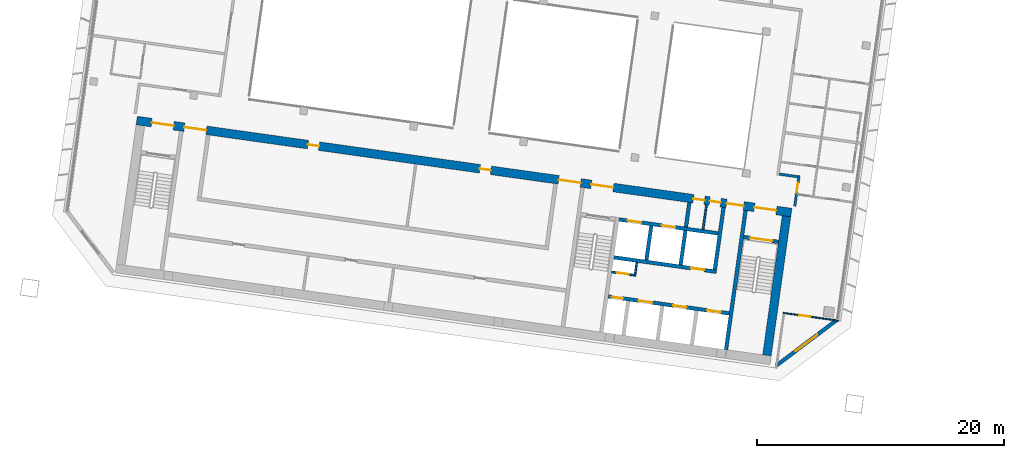
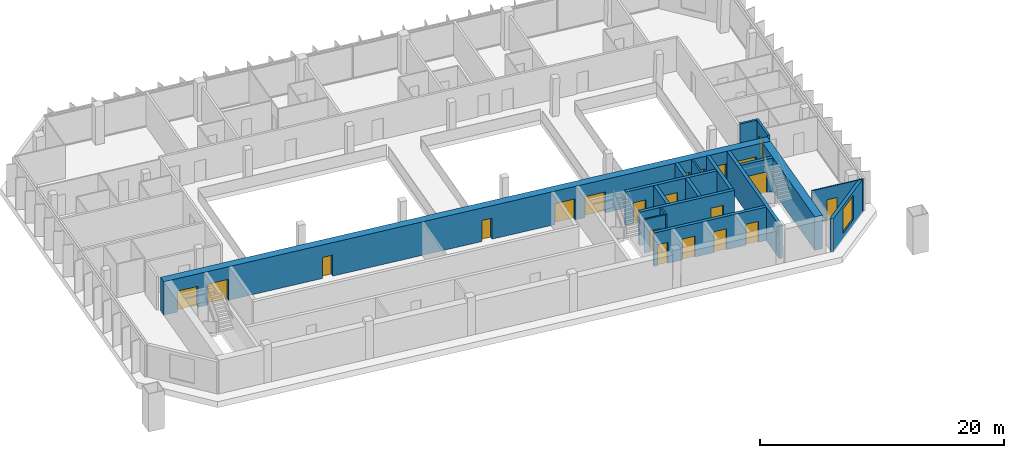
# One storey, part 16 of 26: 21 doors, 18 walls, 1 window, 22 openings.
"""IFC4 building model written with IfcOpenShell, lengths in metres."""

from ifc_helpers import new_model, si_unit, direction, frame, frame_2d, origin, place, context, subcontext, project, spatial, rectangle, extrude, material, layer, layer_set, type_object, element, fill, save


model = new_model("IFC4")

# Units and contexts
model_context = context("Model", 3, precision=1e-05, world=origin(), true_north=direction((0.0, 1.0)))
body_context = subcontext(model_context, "Body", "Model", "MODEL_VIEW")
ifc_project = project(units=[si_unit("LENGTHUNIT", "METRE"), si_unit("AREAUNIT", "SQUARE_METRE"), si_unit("VOLUMEUNIT", "CUBIC_METRE"), si_unit("PLANEANGLEUNIT", "RADIAN"), si_unit("MASSUNIT", "GRAM", prefix="KILO")], contexts=[model_context])

# Site, building, storey
site_placement = place(None, origin())
site = spatial("IfcSite", under=ifc_project, at=site_placement, CompositionType="ELEMENT")
building_placement = place(site_placement, origin())
building = spatial("IfcBuilding", under=site, at=building_placement, Name="Mirante Cascada Hotel Towers", CompositionType="ELEMENT")
storey_placement = place(building_placement, frame((0.0, 0.0, 168.8)))
storey = spatial("IfcBuildingStorey", under=building, at=storey_placement, Name="L39", CompositionType="ELEMENT", Elevation=168.8)

# Wall
ifc_material_1 = material(Name="Fire-rated plasterboard on metal studs")
ifc_layer_1 = layer(ifc_material_1, 0.2)
ifc_layer_set_1 = layer_set([ifc_layer_1], Name="Compartment wall 200 EI 120")
wall_type_1 = type_object("IfcWallType", Name="Compartment wall 200 EI 120", PredefinedType="PARTITIONING", material=ifc_layer_set_1)
wall_1_placement = place(storey_placement, frame((-36.5138, -4.518, 0.0), z_axis=(0.0, 0.0, 1.0), x_axis=(0.9902735, -0.1391343, 0.0)))
element("IfcWall", 1, at=wall_1_placement, inside=storey, type_object=wall_type_1, Name="Wall 1-L39-03", PredefinedType="PARTITIONING", context=body_context, shape_type="SweptSolid", body=[
    extrude(rectangle(XDim=1.5, YDim=0.2, at=frame_2d((0.75, 0.0))), origin(), (0.0, 0.0, 1.0), 3.35),
])

# Wall, opening, door
wall_2_placement = place(storey_placement, frame((-35.2634, -7.1173, 0.0), z_axis=(0.0, 0.0, 1.0), x_axis=(0.1391586, 0.9902701, 0.0)))
wall_2 = element("IfcWall", 2, at=wall_2_placement, inside=storey, type_object=wall_type_1, Name="Wall 1-L39-28", PredefinedType="PARTITIONING", context=body_context, shape_type="SweptSolid", body=[
    extrude(rectangle(XDim=2.5, YDim=0.2, at=frame_2d((1.25, 0.0))), origin(), (0.0, 0.0, 1.0), 3.35),
])
opening_1_placement = place(wall_2_placement, frame((1.1167, 0.0, 0.0)))
opening_1 = element("IfcOpeningElement", 3, at=opening_1_placement, cuts=wall_2, Name="Opening D1-L39-27", PredefinedType="OPENING", context=body_context, shape_type="SweptSolid", body=[
    extrude(rectangle(XDim=0.8, YDim=2.1, at=frame_2d((0.4, 1.05))), frame((0.0, 0.1, 0.0), z_axis=(0.0, -1.0, 0.0), x_axis=(1.0, 0.0, 0.0)), (0.0, 0.0, 1.0), 0.2),
])
ifc_material_2 = material(Name="Fire-rated timber door leaf", Category="wood")
door_type_1 = type_object("IfcDoorType", Name="Bathroom door DG4 800x2100 EI 60", OperationType="SINGLE_SWING_LEFT", PredefinedType="DOOR", material=ifc_material_2)
door_1_placement = place(opening_1_placement, origin())
door_1 = element("IfcDoor", 4, at=door_1_placement, inside=storey, type_object=door_type_1, Name="Door D1-L39-27", OperationType="SINGLE_SWING_LEFT", OverallHeight=2.1, OverallWidth=0.8, PredefinedType="DOOR", context=body_context, shape_type="SweptSolid", body=[
    extrude(rectangle(XDim=0.8, YDim=2.1, at=frame_2d((0.4, 1.05))), frame((0.0, 0.025, 0.0), z_axis=(0.0, -1.0, 0.0), x_axis=(1.0, 0.0, 0.0)), (0.0, 0.0, 1.0), 0.05),
])
fill(opening_1, door_1)

# Wall
ifc_material_3 = material(Name="Masonry block", Category="masonry")
ifc_layer_2 = layer(ifc_material_3, 0.15)
ifc_layer_set_2 = layer_set([ifc_layer_2], Name="Core room partition 150 block EI 30")
wall_type_2 = type_object("IfcWallType", Name="Core room partition 150 block EI 30", PredefinedType="PARTITIONING", material=ifc_layer_set_2)
wall_3_placement = place(storey_placement, frame((-48.2295, -12.793, 0.0), z_axis=(0.0, 0.0, 1.0), x_axis=(0.1391935, 0.9902652, 0.0)))
element("IfcWall", 5, at=wall_3_placement, inside=storey, type_object=wall_type_2, Name="Core wall partition T1 L39 2", PredefinedType="PARTITIONING", context=body_context, shape_type="SweptSolid", body=[
    extrude(rectangle(XDim=1.1251, YDim=0.15, at=frame_2d((0.5626, 0.0))), origin(), (0.0, 0.0, 1.0), 3.35),
])

# Wall, opening, door
wall_4_placement = place(storey_placement, frame((-48.2933, -12.7083, 0.0), z_axis=(0.0, 0.0, 1.0), x_axis=(-0.990268, 0.1391734, 0.0)))
wall_4 = element("IfcWall", 6, at=wall_4_placement, inside=storey, type_object=wall_type_2, Name="Core wall partition T1 L39 3", PredefinedType="PARTITIONING", context=body_context, shape_type="SweptSolid", body=[
    extrude(rectangle(XDim=1.8251, YDim=0.15, at=frame_2d((0.9126, 0.0))), origin(), (0.0, 0.0, 1.0), 3.35),
])
opening_2_placement = place(wall_4_placement, frame((0.4625, 0.0, 0.0)))
opening_2 = element("IfcOpeningElement", 7, at=opening_2_placement, cuts=wall_4, Name="Opening D1-39-C17", PredefinedType="OPENING", context=body_context, shape_type="SweptSolid", body=[
    extrude(rectangle(XDim=0.9, YDim=2.1, at=frame_2d((0.45, 1.05))), frame((0.0, 0.075, 0.0), z_axis=(0.0, -1.0, 0.0), x_axis=(1.0, 0.0, 0.0)), (0.0, 0.0, 1.0), 0.15),
])
ifc_material_4 = material(Name="Hollow metal fire door leaf")
door_type_2 = type_object("IfcDoorType", Name="Fire door 900x2100 FD60", OperationType="NOTDEFINED", PredefinedType="DOOR", material=ifc_material_4)
door_2_placement = place(opening_2_placement, origin())
door_2 = element("IfcDoor", 8, at=door_2_placement, inside=storey, type_object=door_type_2, Name="Riser door T1 L39 17", OperationType="SINGLE_SWING_LEFT", OverallHeight=2.1, OverallWidth=0.9, PredefinedType="DOOR", context=body_context, shape_type="SweptSolid", body=[
    extrude(rectangle(XDim=0.9, YDim=2.1, at=frame_2d((0.45, 1.05))), frame((0.0, 0.025, 0.0), z_axis=(0.0, -1.0, 0.0), x_axis=(1.0, 0.0, 0.0)), (0.0, 0.0, 1.0), 0.05),
])
fill(opening_2, door_2)

# Walls
wall_5_placement = place(storey_placement, frame((-42.6979, -9.0009, 0.0), z_axis=(0.0, 0.0, 1.0), x_axis=(0.1391529, 0.9902709, 0.0)))
element("IfcWall", 9, at=wall_5_placement, inside=storey, type_object=wall_type_2, Name="Core wall partition T1 L39 4", PredefinedType="PARTITIONING", context=body_context, shape_type="SweptSolid", body=[
    extrude(rectangle(XDim=2.0, YDim=0.15, at=frame_2d((1.0, 0.0))), origin(), (0.0, 0.0, 1.0), 3.35),
])
ifc_material_5 = material(Name="Masonry block", Category="masonry")
ifc_layer_3 = layer(ifc_material_5, 0.3)
ifc_layer_set_3 = layer_set([ifc_layer_3], Name="Core wall 300 block EI 120")
wall_type_3 = type_object("IfcWallType", Name="Core wall 300 block EI 120", PredefinedType="PARTITIONING", material=ifc_layer_set_3)
wall_6_placement = place(storey_placement, frame((-44.0843, -8.8061, 0.0), z_axis=(0.0, 0.0, 1.0), x_axis=(0.1391951, 0.990265, 0.0)))
element("IfcWall", 10, at=wall_6_placement, inside=storey, type_object=wall_type_3, Name="Core wall partition T1 L39 1", PredefinedType="PARTITIONING", context=body_context, shape_type="SweptSolid", body=[
    extrude(rectangle(XDim=2.0001, YDim=0.3, at=frame_2d((1.0001, 0.0))), origin(), (0.0, 0.0, 1.0), 3.35),
])

# Wall, opening, door
ifc_material_6 = material(Name="Plasterboard on metal studs")
ifc_layer_4 = layer(ifc_material_6, 0.1)
ifc_layer_set_4 = layer_set([ifc_layer_4], Name="Partition 100")
wall_type_4 = type_object("IfcWallType", Name="Partition 100", PredefinedType="PARTITIONING", material=ifc_layer_set_4)
wall_7_placement = place(storey_placement, frame((-36.1893, -15.7726, 0.0), z_axis=(0.0, 0.0, 1.0), x_axis=(0.9902661, -0.1391871, 0.0)))
wall_7 = element("IfcWall", 11, at=wall_7_placement, inside=storey, type_object=wall_type_4, Name="Wall 1-L39-01", PredefinedType="PARTITIONING", context=body_context, shape_type="SweptSolid", body=[
    extrude(rectangle(XDim=4.55, YDim=0.1, at=frame_2d((2.275, 0.0))), origin(), (0.0, 0.0, 1.0), 3.35),
])
opening_3_placement = place(wall_7_placement, frame((1.3249, 0.0, 0.0)))
opening_3 = element("IfcOpeningElement", 12, at=opening_3_placement, cuts=wall_7, Name="Opening D1-L39-01", PredefinedType="OPENING", context=body_context, shape_type="SweptSolid", body=[
    extrude(rectangle(XDim=0.9, YDim=2.1, at=frame_2d((0.45, 1.05))), frame((0.0, 0.05, 0.0), z_axis=(0.0, -1.0, 0.0), x_axis=(1.0, 0.0, 0.0)), (0.0, 0.0, 1.0), 0.1),
])
ifc_material_7 = material(Name="Timber door leaf", Category="wood")
door_type_3 = type_object("IfcDoorType", Name="Room door DG3 900x2100", OperationType="SINGLE_SWING_LEFT", PredefinedType="DOOR", material=ifc_material_7)
door_3_placement = place(opening_3_placement, origin())
door_3 = element("IfcDoor", 13, at=door_3_placement, inside=storey, type_object=door_type_3, Name="Door D1-L39-01", OperationType="SINGLE_SWING_LEFT", OverallHeight=2.1, OverallWidth=0.9, PredefinedType="DOOR", context=body_context, shape_type="SweptSolid", body=[
    extrude(rectangle(XDim=0.9, YDim=2.1, at=frame_2d((0.45, 1.05))), frame((0.0, 0.025, 0.0), z_axis=(0.0, -1.0, 0.0), x_axis=(1.0, 0.0, 0.0)), (0.0, 0.0, 1.0), 0.05),
])
fill(opening_3, door_3)

# Wall, opening, window
ifc_material_8 = material(Name="Precast concrete C40/50", Category="concrete")
ifc_layer_5 = layer(ifc_material_8, 0.3)
ifc_layer_set_5 = layer_set([ifc_layer_5], Name="Precast concrete C40/50 cladding wall 300")
wall_type_5 = type_object("IfcWallType", Name="Precast concrete C40/50 cladding wall 300", PredefinedType="STANDARD", material=ifc_layer_set_5)
wall_8_placement = place(storey_placement, frame((-31.873, -16.3608, 0.0), z_axis=(0.0, 0.0, 1.0), x_axis=(-0.7986362, -0.6018141, 0.0)))
wall_8 = element("IfcWall", 14, at=wall_8_placement, inside=storey, type_object=wall_type_5, Name="Corner cladding wall T1 L39 inner rear", PredefinedType="STANDARD", context=body_context, shape_type="SweptSolid", body=[
    extrude(rectangle(XDim=6.1157, YDim=0.3, at=frame_2d((3.0578, 0.0))), origin(), (0.0, 0.0, 1.0), 3.35),
])
opening_4_placement = place(wall_8_placement, frame((1.9578, 0.0, 0.6)))
opening_4 = element("IfcOpeningElement", 15, at=opening_4_placement, cuts=wall_8, Name="Opening W1-39-04", PredefinedType="OPENING", context=body_context, shape_type="SweptSolid", body=[
    extrude(rectangle(XDim=2.2, YDim=2.4, at=frame_2d((1.1, 1.2))), frame((0.0, 0.15, 0.0), z_axis=(0.0, -1.0, 0.0), x_axis=(1.0, 0.0, 0.0)), (0.0, 0.0, 1.0), 0.3),
])
ifc_material_9 = material(Name="Aluminium frame with clear double glazing", Category="aluminium")
window_type = type_object("IfcWindowType", Name="Corner suite window 2200x2400", PartitioningType="DOUBLE_PANEL_VERTICAL", PredefinedType="WINDOW", material=ifc_material_9)
window_placement = place(opening_4_placement, origin())
window = element("IfcWindow", 16, at=window_placement, inside=storey, type_object=window_type, Name="Window W1-39-04", OverallHeight=2.4, OverallWidth=2.2, PartitioningType="SINGLE_PANEL", PredefinedType="WINDOW", context=body_context, shape_type="SweptSolid", body=[
    extrude(rectangle(XDim=2.2, YDim=2.4, at=frame_2d((1.1, 1.2))), frame((0.0, 0.03, 0.0), z_axis=(0.0, -1.0, 0.0), x_axis=(1.0, 0.0, 0.0)), (0.0, 0.0, 1.0), 0.06),
])
fill(opening_4, window)

# Wall
ifc_material_10 = material(Name="Concrete C50/60", Category="concrete")
ifc_layer_6 = layer(ifc_material_10, 0.3)
ifc_layer_set_6 = layer_set([ifc_layer_6], Name="RC core wall 300 C50/60")
wall_type_6 = type_object("IfcWallType", Name="RC core wall 300 C50/60", PredefinedType="SHEAR", material=ifc_layer_set_6)
wall_9_placement = place(storey_placement, frame((-40.8373, -18.7548, 0.0), z_axis=(0.0, 0.0, 1.0), x_axis=(0.1391749, 0.9902678, 0.0)))
element("IfcWall", 17, at=wall_9_placement, inside=storey, type_object=wall_type_6, Name="Core wall T1:L39:5", PredefinedType="SHEAR", context=body_context, shape_type="SweptSolid", body=[
    extrude(rectangle(XDim=11.4, YDim=0.3, at=frame_2d((5.7, 0.0))), origin(), (0.0, 0.0, 1.0), 3.35),
])

# Wall, opening, door
wall_10_placement = place(storey_placement, frame((-36.5791, -10.0123, 0.0), z_axis=(0.0, 0.0, 1.0), x_axis=(-0.9902704, 0.1391564, 0.0)))
wall_10 = element("IfcWall", 18, at=wall_10_placement, inside=storey, type_object=wall_type_6, Name="Core wall T1:L39:9", PredefinedType="SHEAR", context=body_context, shape_type="SweptSolid", body=[
    extrude(rectangle(XDim=2.85, YDim=0.3, at=frame_2d((1.425, 0.0))), origin(), (0.0, 0.0, 1.0), 3.35),
])
opening_5_placement = place(wall_10_placement, frame((0.525, 0.0, 0.0)))
opening_5 = element("IfcOpeningElement", 19, at=opening_5_placement, cuts=wall_10, Name="Opening D1-39-C07", PredefinedType="OPENING", context=body_context, shape_type="SweptSolid", body=[
    extrude(rectangle(XDim=1.8, YDim=2.1, at=frame_2d((0.9, 1.05))), frame((0.0, 0.15, 0.0), z_axis=(0.0, -1.0, 0.0), x_axis=(1.0, 0.0, 0.0)), (0.0, 0.0, 1.0), 0.3),
])
ifc_material_11 = material(Name="Hollow metal fire door leaf")
door_type_4 = type_object("IfcDoorType", Name="Double fire door 1800x2100 FD60", OperationType="DOUBLE_DOOR_SINGLE_SWING", PredefinedType="DOOR", material=ifc_material_11)
door_4_placement = place(opening_5_placement, origin())
door_4 = element("IfcDoor", 20, at=door_4_placement, inside=storey, type_object=door_type_4, Name="Stair door T1 L39 7", OperationType="DOUBLE_DOOR_SINGLE_SWING", OverallHeight=2.1, OverallWidth=1.8, PredefinedType="DOOR", context=body_context, shape_type="SweptSolid", body=[
    extrude(rectangle(XDim=0.895, YDim=2.1, at=frame_2d((0.4475, 1.05))), frame((0.0, 0.025, 0.0), z_axis=(0.0, -1.0, 0.0), x_axis=(1.0, 0.0, 0.0)), (0.0, 0.0, 1.0), 0.05),
    extrude(rectangle(XDim=0.895, YDim=2.1, at=frame_2d((1.3525, 1.05))), frame((0.0, 0.025, 0.0), z_axis=(0.0, -1.0, 0.0), x_axis=(1.0, 0.0, 0.0)), (0.0, 0.0, 1.0), 0.05),
])
fill(opening_5, door_4)

# Wall, openings, doors
wall_11_placement = place(storey_placement, frame((-40.5753, -15.8126, 0.0), z_axis=(0.0, 0.0, 1.0), x_axis=(-0.9902682, 0.1391725, 0.0)))
wall_11 = element("IfcWall", 21, at=wall_11_placement, inside=storey, type_object=wall_type_6, Name="Core wall T1:L39:12", PredefinedType="SHEAR", context=body_context, shape_type="SweptSolid", body=[
    extrude(rectangle(XDim=9.8999, YDim=0.3, at=frame_2d((4.95, 0.0))), origin(), (0.0, 0.0, 1.0), 3.35),
])
opening_6_placement = place(wall_11_placement, frame((0.7, 0.0, 0.0)))
opening_6 = element("IfcOpeningElement", 22, at=opening_6_placement, cuts=wall_11, Name="Opening LD", PredefinedType="OPENING", context=body_context, shape_type="SweptSolid", body=[
    extrude(rectangle(XDim=1.1, YDim=2.1, at=frame_2d((0.55, 1.05))), frame((0.0, 0.15, 0.0), z_axis=(0.0, -1.0, 0.0), x_axis=(1.0, 0.0, 0.0)), (0.0, 0.0, 1.0), 0.3),
])
opening_7_placement = place(wall_11_placement, frame((3.5, 0.0, 0.0)))
opening_7 = element("IfcOpeningElement", 23, at=opening_7_placement, cuts=wall_11, Name="Opening LD", PredefinedType="OPENING", context=body_context, shape_type="SweptSolid", body=[
    extrude(rectangle(XDim=1.1, YDim=2.1, at=frame_2d((0.55, 1.05))), frame((0.0, 0.15, 0.0), z_axis=(0.0, -1.0, 0.0), x_axis=(1.0, 0.0, 0.0)), (0.0, 0.0, 1.0), 0.3),
])
opening_8_placement = place(wall_11_placement, frame((6.3, 0.0, 0.0)))
opening_8 = element("IfcOpeningElement", 24, at=opening_8_placement, cuts=wall_11, Name="Opening LD", PredefinedType="OPENING", context=body_context, shape_type="SweptSolid", body=[
    extrude(rectangle(XDim=1.1, YDim=2.1, at=frame_2d((0.55, 1.05))), frame((0.0, 0.15, 0.0), z_axis=(0.0, -1.0, 0.0), x_axis=(1.0, 0.0, 0.0)), (0.0, 0.0, 1.0), 0.3),
])
opening_9_placement = place(wall_11_placement, frame((8.7, 0.0, 0.0)))
opening_9 = element("IfcOpeningElement", 25, at=opening_9_placement, cuts=wall_11, Name="Opening D1-39-C16", PredefinedType="OPENING", context=body_context, shape_type="SweptSolid", body=[
    extrude(rectangle(XDim=0.9, YDim=2.1, at=frame_2d((0.45, 1.05))), frame((0.0, 0.15, 0.0), z_axis=(0.0, -1.0, 0.0), x_axis=(1.0, 0.0, 0.0)), (0.0, 0.0, 1.0), 0.3),
])
door_5_placement = place(opening_9_placement, origin())
door_5 = element("IfcDoor", 26, at=door_5_placement, inside=storey, type_object=door_type_2, Name="Riser door T1 L39 16", OperationType="SINGLE_SWING_LEFT", OverallHeight=2.1, OverallWidth=0.9, PredefinedType="DOOR", context=body_context, shape_type="SweptSolid", body=[
    extrude(rectangle(XDim=0.9, YDim=2.1, at=frame_2d((0.45, 1.05))), frame((0.0, 0.025, 0.0), z_axis=(0.0, -1.0, 0.0), x_axis=(1.0, 0.0, 0.0)), (0.0, 0.0, 1.0), 0.05),
])
fill(opening_9, door_5)
ifc_material_12 = material(Name="Stainless steel", Category="steel")
door_type_5 = type_object("IfcDoorType", Name="Lift landing door 1100x2100 EI 120", OperationType="DOUBLE_DOOR_SLIDING", PredefinedType="DOOR", material=ifc_material_12)
door_6_placement = place(opening_6_placement, origin())
door_6 = element("IfcDoor", 27, at=door_6_placement, inside=storey, type_object=door_type_5, Name="Lift landing door HR1-1 L39", OperationType="DOUBLE_DOOR_SLIDING", OverallHeight=2.1, OverallWidth=1.1, PredefinedType="DOOR", context=body_context, shape_type="SweptSolid", body=[
    extrude(rectangle(XDim=0.545, YDim=2.1, at=frame_2d((0.2725, 1.05))), frame((0.0, 0.025, 0.0), z_axis=(0.0, -1.0, 0.0), x_axis=(1.0, 0.0, 0.0)), (0.0, 0.0, 1.0), 0.05),
    extrude(rectangle(XDim=0.545, YDim=2.1, at=frame_2d((0.8275, 1.05))), frame((0.0, 0.025, 0.0), z_axis=(0.0, -1.0, 0.0), x_axis=(1.0, 0.0, 0.0)), (0.0, 0.0, 1.0), 0.05),
])
fill(opening_6, door_6)
door_7_placement = place(opening_7_placement, origin())
door_7 = element("IfcDoor", 28, at=door_7_placement, inside=storey, type_object=door_type_5, Name="Lift landing door HR1-2 L39", OperationType="DOUBLE_DOOR_SLIDING", OverallHeight=2.1, OverallWidth=1.1, PredefinedType="DOOR", context=body_context, shape_type="SweptSolid", body=[
    extrude(rectangle(XDim=0.545, YDim=2.1, at=frame_2d((0.2725, 1.05))), frame((0.0, 0.025, 0.0), z_axis=(0.0, -1.0, 0.0), x_axis=(1.0, 0.0, 0.0)), (0.0, 0.0, 1.0), 0.05),
    extrude(rectangle(XDim=0.545, YDim=2.1, at=frame_2d((0.8275, 1.05))), frame((0.0, 0.025, 0.0), z_axis=(0.0, -1.0, 0.0), x_axis=(1.0, 0.0, 0.0)), (0.0, 0.0, 1.0), 0.05),
])
fill(opening_7, door_7)
door_8_placement = place(opening_8_placement, origin())
door_8 = element("IfcDoor", 29, at=door_8_placement, inside=storey, type_object=door_type_5, Name="Lift landing door HR1-3 L39", OperationType="DOUBLE_DOOR_SLIDING", OverallHeight=2.1, OverallWidth=1.1, PredefinedType="DOOR", context=body_context, shape_type="SweptSolid", body=[
    extrude(rectangle(XDim=0.545, YDim=2.1, at=frame_2d((0.2725, 1.05))), frame((0.0, 0.025, 0.0), z_axis=(0.0, -1.0, 0.0), x_axis=(1.0, 0.0, 0.0)), (0.0, 0.0, 1.0), 0.05),
    extrude(rectangle(XDim=0.545, YDim=2.1, at=frame_2d((0.8275, 1.05))), frame((0.0, 0.025, 0.0), z_axis=(0.0, -1.0, 0.0), x_axis=(1.0, 0.0, 0.0)), (0.0, 0.0, 1.0), 0.05),
])
fill(opening_8, door_8)

# Wall, opening, door
wall_12_placement = place(storey_placement, frame((-41.6153, -12.435, 0.0), z_axis=(0.0, 0.0, 1.0), x_axis=(-0.9902691, 0.139166, 0.0)))
wall_12 = element("IfcWall", 30, at=wall_12_placement, inside=storey, type_object=wall_type_6, Name="Core wall T1:L39:13", PredefinedType="SHEAR", context=body_context, shape_type="SweptSolid", body=[
    extrude(rectangle(XDim=8.4, YDim=0.3, at=frame_2d((4.2, 0.0))), origin(), (0.0, 0.0, 1.0), 3.35),
])
opening_10_placement = place(wall_12_placement, frame((1.0, 0.0, 0.0)))
opening_10 = element("IfcOpeningElement", 31, at=opening_10_placement, cuts=wall_12, Name="Opening LD", PredefinedType="OPENING", context=body_context, shape_type="SweptSolid", body=[
    extrude(rectangle(XDim=1.1, YDim=2.1, at=frame_2d((0.55, 1.05))), frame((0.0, 0.15, 0.0), z_axis=(0.0, -1.0, 0.0), x_axis=(1.0, 0.0, 0.0)), (0.0, 0.0, 1.0), 0.3),
])
door_9_placement = place(opening_10_placement, origin())
door_9 = element("IfcDoor", 32, at=door_9_placement, inside=storey, type_object=door_type_5, Name="Lift landing door HR1-4 L39", OperationType="DOUBLE_DOOR_SLIDING", OverallHeight=2.1, OverallWidth=1.1, PredefinedType="DOOR", context=body_context, shape_type="SweptSolid", body=[
    extrude(rectangle(XDim=0.545, YDim=2.1, at=frame_2d((0.2725, 1.05))), frame((0.0, 0.025, 0.0), z_axis=(0.0, -1.0, 0.0), x_axis=(1.0, 0.0, 0.0)), (0.0, 0.0, 1.0), 0.05),
    extrude(rectangle(XDim=0.545, YDim=2.1, at=frame_2d((0.8275, 1.05))), frame((0.0, 0.025, 0.0), z_axis=(0.0, -1.0, 0.0), x_axis=(1.0, 0.0, 0.0)), (0.0, 0.0, 1.0), 0.05),
])
fill(opening_10, door_9)

# Wall, openings, doors
wall_13_placement = place(storey_placement, frame((-41.481, -9.3234, 0.0), z_axis=(0.0, 0.0, 1.0), x_axis=(-0.9902679, 0.1391741, 0.0)))
wall_13 = element("IfcWall", 33, at=wall_13_placement, inside=storey, type_object=wall_type_6, Name="Core wall T1:L39:14", PredefinedType="SHEAR", context=body_context, shape_type="SweptSolid", body=[
    extrude(rectangle(XDim=8.0999, YDim=0.3, at=frame_2d((4.05, 0.0))), origin(), (0.0, 0.0, 1.0), 3.35),
])
opening_11_placement = place(wall_13_placement, frame((3.5, 0.0, 0.0)))
opening_11 = element("IfcOpeningElement", 34, at=opening_11_placement, cuts=wall_13, Name="Opening LD", PredefinedType="OPENING", context=body_context, shape_type="SweptSolid", body=[
    extrude(rectangle(XDim=1.1, YDim=2.1, at=frame_2d((0.55, 1.05))), frame((0.0, 0.15, 0.0), z_axis=(0.0, -1.0, 0.0), x_axis=(1.0, 0.0, 0.0)), (0.0, 0.0, 1.0), 0.3),
])
opening_12_placement = place(wall_13_placement, frame((6.3, 0.0, 0.0)))
opening_12 = element("IfcOpeningElement", 35, at=opening_12_placement, cuts=wall_13, Name="Opening LD", PredefinedType="OPENING", context=body_context, shape_type="SweptSolid", body=[
    extrude(rectangle(XDim=1.1, YDim=2.1, at=frame_2d((0.55, 1.05))), frame((0.0, 0.15, 0.0), z_axis=(0.0, -1.0, 0.0), x_axis=(1.0, 0.0, 0.0)), (0.0, 0.0, 1.0), 0.3),
])
door_10_placement = place(opening_11_placement, origin())
door_10 = element("IfcDoor", 36, at=door_10_placement, inside=storey, type_object=door_type_5, Name="Lift landing door FF1 L39", OperationType="DOUBLE_DOOR_SLIDING", OverallHeight=2.1, OverallWidth=1.1, PredefinedType="DOOR", context=body_context, shape_type="SweptSolid", body=[
    extrude(rectangle(XDim=0.545, YDim=2.1, at=frame_2d((0.2725, 1.05))), frame((0.0, 0.025, 0.0), z_axis=(0.0, -1.0, 0.0), x_axis=(1.0, 0.0, 0.0)), (0.0, 0.0, 1.0), 0.05),
    extrude(rectangle(XDim=0.545, YDim=2.1, at=frame_2d((0.8275, 1.05))), frame((0.0, 0.025, 0.0), z_axis=(0.0, -1.0, 0.0), x_axis=(1.0, 0.0, 0.0)), (0.0, 0.0, 1.0), 0.05),
])
fill(opening_11, door_10)
door_11_placement = place(opening_12_placement, origin())
door_11 = element("IfcDoor", 37, at=door_11_placement, inside=storey, type_object=door_type_5, Name="Lift landing door FF2 L39", OperationType="DOUBLE_DOOR_SLIDING", OverallHeight=2.1, OverallWidth=1.1, PredefinedType="DOOR", context=body_context, shape_type="SweptSolid", body=[
    extrude(rectangle(XDim=0.545, YDim=2.1, at=frame_2d((0.2725, 1.05))), frame((0.0, 0.025, 0.0), z_axis=(0.0, -1.0, 0.0), x_axis=(1.0, 0.0, 0.0)), (0.0, 0.0, 1.0), 0.05),
    extrude(rectangle(XDim=0.545, YDim=2.1, at=frame_2d((0.8275, 1.05))), frame((0.0, 0.025, 0.0), z_axis=(0.0, -1.0, 0.0), x_axis=(1.0, 0.0, 0.0)), (0.0, 0.0, 1.0), 0.05),
])
fill(opening_12, door_11)

# Walls
for number, where, z_axis, x_axis, name in (
    (38, (-44.5157, -11.8759, 0.0), (0.0, 0.0, 1.0), (0.139181, 0.990267, 0.0), "Core wall T1:L39:18"),
    (39, (-47.2885, -11.4862, 0.0), (0.0, 0.0, 1.0), (0.139181, 0.990267, 0.0), "Core wall T1:L39:19"),
):
    element("IfcWall", number, at=place(storey_placement, frame(where, z_axis=z_axis, x_axis=x_axis)), inside=storey, type_object=wall_type_6, Name=name, PredefinedType="SHEAR", context=body_context, shape_type="SweptSolid", body=[
        extrude(rectangle(XDim=2.8, YDim=0.3, at=frame_2d((1.4, 0.0))), origin(), (0.0, 0.0, 1.0), 3.35),
    ])
wall_14_placement = place(storey_placement, frame((-41.743, -12.2656, 0.0), z_axis=(0.0, 0.0, 1.0), x_axis=(0.1391755, 0.9902677, 0.0)))
element("IfcWall", 40, at=wall_14_placement, inside=storey, type_object=wall_type_6, Name="Core wall T1:L39:20", PredefinedType="SHEAR", context=body_context, shape_type="SweptSolid", body=[
    extrude(rectangle(XDim=5.1, YDim=0.3, at=frame_2d((2.55, 0.0))), origin(), (0.0, 0.0, 1.0), 3.35),
])

# Wall, openings, doors
ifc_material_13 = material(Name="Concrete C50/60", Category="concrete")
ifc_layer_7 = layer(ifc_material_13, 0.7)
ifc_layer_set_7 = layer_set([ifc_layer_7], Name="RC core wall 700 C50/60")
wall_type_7 = type_object("IfcWallType", Name="RC core wall 700 C50/60", PredefinedType="SHEAR", material=ifc_layer_set_7)
wall_15_placement = place(storey_placement, frame((-35.538, -7.6341, 0.0), z_axis=(0.0, 0.0, 1.0), x_axis=(-0.990268, 0.1391734, 0.0)))
wall_15 = element("IfcWall", 41, at=wall_15_placement, inside=storey, type_object=wall_type_7, Name="Core wall T1:L39:2", PredefinedType="SHEAR", context=body_context, shape_type="SweptSolid", body=[
    extrude(rectangle(XDim=53.6, YDim=0.7, at=frame_2d((26.8, 0.0))), origin(), (0.0, 0.0, 1.0), 3.35),
])
opening_13_placement = place(wall_15_placement, frame((1.225, 0.0, 0.0)))
opening_13 = element("IfcOpeningElement", 42, at=opening_13_placement, cuts=wall_15, Name="Opening D1-39-C08", PredefinedType="OPENING", context=body_context, shape_type="SweptSolid", body=[
    extrude(rectangle(XDim=1.8, YDim=2.1, at=frame_2d((0.9, 1.05))), frame((0.0, 0.35, 0.0), z_axis=(0.0, -1.0, 0.0), x_axis=(1.0, 0.0, 0.0)), (0.0, 0.0, 1.0), 0.7),
])
opening_14_placement = place(wall_15_placement, frame((14.575, 0.0, 0.0)))
opening_14 = element("IfcOpeningElement", 43, at=opening_14_placement, cuts=wall_15, Name="Opening D1-39-C10", PredefinedType="OPENING", context=body_context, shape_type="SweptSolid", body=[
    extrude(rectangle(XDim=1.8, YDim=2.1, at=frame_2d((0.9, 1.05))), frame((0.0, 0.35, 0.0), z_axis=(0.0, -1.0, 0.0), x_axis=(1.0, 0.0, 0.0)), (0.0, 0.0, 1.0), 0.7),
])
opening_15_placement = place(wall_15_placement, frame((50.575, 0.0, 0.0)))
opening_15 = element("IfcOpeningElement", 44, at=opening_15_placement, cuts=wall_15, Name="Opening D1-39-C12", PredefinedType="OPENING", context=body_context, shape_type="SweptSolid", body=[
    extrude(rectangle(XDim=1.8, YDim=2.1, at=frame_2d((0.9, 1.05))), frame((0.0, 0.35, 0.0), z_axis=(0.0, -1.0, 0.0), x_axis=(1.0, 0.0, 0.0)), (0.0, 0.0, 1.0), 0.7),
])
opening_16_placement = place(wall_15_placement, frame((3.9, 0.0, 0.0)))
opening_16 = element("IfcOpeningElement", 45, at=opening_16_placement, cuts=wall_15, Name="Opening D1-39-C13", PredefinedType="OPENING", context=body_context, shape_type="SweptSolid", body=[
    extrude(rectangle(XDim=1.4, YDim=2.1, at=frame_2d((0.7, 1.05))), frame((0.0, 0.35, 0.0), z_axis=(0.0, -1.0, 0.0), x_axis=(1.0, 0.0, 0.0)), (0.0, 0.0, 1.0), 0.7),
])
opening_17_placement = place(wall_15_placement, frame((17.25, 0.0, 0.0)))
opening_17 = element("IfcOpeningElement", 46, at=opening_17_placement, cuts=wall_15, Name="Opening D1-39-C14", PredefinedType="OPENING", context=body_context, shape_type="SweptSolid", body=[
    extrude(rectangle(XDim=1.8, YDim=2.1, at=frame_2d((0.9, 1.05))), frame((0.0, 0.35, 0.0), z_axis=(0.0, -1.0, 0.0), x_axis=(1.0, 0.0, 0.0)), (0.0, 0.0, 1.0), 0.7),
])
opening_18_placement = place(wall_15_placement, frame((47.9, 0.0, 0.0)))
opening_18 = element("IfcOpeningElement", 47, at=opening_18_placement, cuts=wall_15, Name="Opening D1-39-C15", PredefinedType="OPENING", context=body_context, shape_type="SweptSolid", body=[
    extrude(rectangle(XDim=1.8, YDim=2.1, at=frame_2d((0.9, 1.05))), frame((0.0, 0.35, 0.0), z_axis=(0.0, -1.0, 0.0), x_axis=(1.0, 0.0, 0.0)), (0.0, 0.0, 1.0), 0.7),
])
opening_19_placement = place(wall_15_placement, frame((5.7875, 0.0, 0.0)))
opening_19 = element("IfcOpeningElement", 48, at=opening_19_placement, cuts=wall_15, Name="Opening D1-39-C18", PredefinedType="OPENING", context=body_context, shape_type="SweptSolid", body=[
    extrude(rectangle(XDim=0.9, YDim=2.1, at=frame_2d((0.45, 1.05))), frame((0.0, 0.35, 0.0), z_axis=(0.0, -1.0, 0.0), x_axis=(1.0, 0.0, 0.0)), (0.0, 0.0, 1.0), 0.7),
])
opening_20_placement = place(wall_15_placement, frame((7.1125, 0.0, 0.0)))
opening_20 = element("IfcOpeningElement", 49, at=opening_20_placement, cuts=wall_15, Name="Opening D1-39-C19", PredefinedType="OPENING", context=body_context, shape_type="SweptSolid", body=[
    extrude(rectangle(XDim=0.9, YDim=2.1, at=frame_2d((0.45, 1.05))), frame((0.0, 0.35, 0.0), z_axis=(0.0, -1.0, 0.0), x_axis=(1.0, 0.0, 0.0)), (0.0, 0.0, 1.0), 0.7),
])
opening_21_placement = place(wall_15_placement, frame((24.6, 0.0, 0.0)))
opening_21 = element("IfcOpeningElement", 50, at=opening_21_placement, cuts=wall_15, Name="Opening D1-39-C23", PredefinedType="OPENING", context=body_context, shape_type="SweptSolid", body=[
    extrude(rectangle(XDim=0.9, YDim=2.1, at=frame_2d((0.45, 1.05))), frame((0.0, 0.35, 0.0), z_axis=(0.0, -1.0, 0.0), x_axis=(1.0, 0.0, 0.0)), (0.0, 0.0, 1.0), 0.7),
])
opening_22_placement = place(wall_15_placement, frame((38.675, 0.0, 0.0)))
opening_22 = element("IfcOpeningElement", 51, at=opening_22_placement, cuts=wall_15, Name="Opening D1-39-C24", PredefinedType="OPENING", context=body_context, shape_type="SweptSolid", body=[
    extrude(rectangle(XDim=0.9, YDim=2.1, at=frame_2d((0.45, 1.05))), frame((0.0, 0.35, 0.0), z_axis=(0.0, -1.0, 0.0), x_axis=(1.0, 0.0, 0.0)), (0.0, 0.0, 1.0), 0.7),
])
ifc_material_14 = material(Name="Hollow metal fire door leaf")
door_type_6 = type_object("IfcDoorType", Name="Double fire door 1400x2100 FD60", OperationType="DOUBLE_DOOR_SINGLE_SWING", PredefinedType="DOOR", material=ifc_material_14)
door_12_placement = place(opening_16_placement, frame((1.4, 0.0, 0.0), z_axis=(0.0, 0.0, 1.0), x_axis=(-1.0, 0.0, 0.0)))
door_12 = element("IfcDoor", 52, at=door_12_placement, inside=storey, type_object=door_type_6, Name="Exit door to gallery T1 L39 13", OperationType="DOUBLE_DOOR_SINGLE_SWING", OverallHeight=2.1, OverallWidth=1.4, PredefinedType="DOOR", context=body_context, shape_type="SweptSolid", body=[
    extrude(rectangle(XDim=0.695, YDim=2.1, at=frame_2d((0.3475, 1.05))), frame((0.0, 0.025, 0.0), z_axis=(0.0, -1.0, 0.0), x_axis=(1.0, 0.0, 0.0)), (0.0, 0.0, 1.0), 0.05),
    extrude(rectangle(XDim=0.695, YDim=2.1, at=frame_2d((1.0525, 1.05))), frame((0.0, 0.025, 0.0), z_axis=(0.0, -1.0, 0.0), x_axis=(1.0, 0.0, 0.0)), (0.0, 0.0, 1.0), 0.05),
])
fill(opening_16, door_12)
door_13_placement = place(opening_13_placement, origin())
door_13 = element("IfcDoor", 53, at=door_13_placement, inside=storey, type_object=door_type_4, Name="Exit door to gallery T1 L39 8", OperationType="DOUBLE_DOOR_SINGLE_SWING", OverallHeight=2.1, OverallWidth=1.8, PredefinedType="DOOR", context=body_context, shape_type="SweptSolid", body=[
    extrude(rectangle(XDim=0.895, YDim=2.1, at=frame_2d((0.4475, 1.05))), frame((0.0, 0.025, 0.0), z_axis=(0.0, -1.0, 0.0), x_axis=(1.0, 0.0, 0.0)), (0.0, 0.0, 1.0), 0.05),
    extrude(rectangle(XDim=0.895, YDim=2.1, at=frame_2d((1.3525, 1.05))), frame((0.0, 0.025, 0.0), z_axis=(0.0, -1.0, 0.0), x_axis=(1.0, 0.0, 0.0)), (0.0, 0.0, 1.0), 0.05),
])
fill(opening_13, door_13)
door_14_placement = place(opening_14_placement, origin())
door_14 = element("IfcDoor", 54, at=door_14_placement, inside=storey, type_object=door_type_4, Name="Exit door to gallery T1 L39 10", OperationType="DOUBLE_DOOR_SINGLE_SWING", OverallHeight=2.1, OverallWidth=1.8, PredefinedType="DOOR", context=body_context, shape_type="SweptSolid", body=[
    extrude(rectangle(XDim=0.895, YDim=2.1, at=frame_2d((0.4475, 1.05))), frame((0.0, 0.025, 0.0), z_axis=(0.0, -1.0, 0.0), x_axis=(1.0, 0.0, 0.0)), (0.0, 0.0, 1.0), 0.05),
    extrude(rectangle(XDim=0.895, YDim=2.1, at=frame_2d((1.3525, 1.05))), frame((0.0, 0.025, 0.0), z_axis=(0.0, -1.0, 0.0), x_axis=(1.0, 0.0, 0.0)), (0.0, 0.0, 1.0), 0.05),
])
fill(opening_14, door_14)
door_15_placement = place(opening_15_placement, origin())
door_15 = element("IfcDoor", 55, at=door_15_placement, inside=storey, type_object=door_type_4, Name="Exit door to gallery T1 L39 12", OperationType="DOUBLE_DOOR_SINGLE_SWING", OverallHeight=2.1, OverallWidth=1.8, PredefinedType="DOOR", context=body_context, shape_type="SweptSolid", body=[
    extrude(rectangle(XDim=0.895, YDim=2.1, at=frame_2d((0.4475, 1.05))), frame((0.0, 0.025, 0.0), z_axis=(0.0, -1.0, 0.0), x_axis=(1.0, 0.0, 0.0)), (0.0, 0.0, 1.0), 0.05),
    extrude(rectangle(XDim=0.895, YDim=2.1, at=frame_2d((1.3525, 1.05))), frame((0.0, 0.025, 0.0), z_axis=(0.0, -1.0, 0.0), x_axis=(1.0, 0.0, 0.0)), (0.0, 0.0, 1.0), 0.05),
])
fill(opening_15, door_15)
door_16_placement = place(opening_17_placement, frame((1.8, 0.0, 0.0), z_axis=(0.0, 0.0, 1.0), x_axis=(-1.0, 0.0, 0.0)))
door_16 = element("IfcDoor", 56, at=door_16_placement, inside=storey, type_object=door_type_4, Name="Exit door to gallery T1 L39 14", OperationType="DOUBLE_DOOR_SINGLE_SWING", OverallHeight=2.1, OverallWidth=1.8, PredefinedType="DOOR", context=body_context, shape_type="SweptSolid", body=[
    extrude(rectangle(XDim=0.895, YDim=2.1, at=frame_2d((0.4475, 1.05))), frame((0.0, 0.025, 0.0), z_axis=(0.0, -1.0, 0.0), x_axis=(1.0, 0.0, 0.0)), (0.0, 0.0, 1.0), 0.05),
    extrude(rectangle(XDim=0.895, YDim=2.1, at=frame_2d((1.3525, 1.05))), frame((0.0, 0.025, 0.0), z_axis=(0.0, -1.0, 0.0), x_axis=(1.0, 0.0, 0.0)), (0.0, 0.0, 1.0), 0.05),
])
fill(opening_17, door_16)
door_17_placement = place(opening_18_placement, frame((1.8, 0.0, 0.0), z_axis=(0.0, 0.0, 1.0), x_axis=(-1.0, 0.0, 0.0)))
door_17 = element("IfcDoor", 57, at=door_17_placement, inside=storey, type_object=door_type_4, Name="Exit door to gallery T1 L39 15", OperationType="DOUBLE_DOOR_SINGLE_SWING", OverallHeight=2.1, OverallWidth=1.8, PredefinedType="DOOR", context=body_context, shape_type="SweptSolid", body=[
    extrude(rectangle(XDim=0.895, YDim=2.1, at=frame_2d((0.4475, 1.05))), frame((0.0, 0.025, 0.0), z_axis=(0.0, -1.0, 0.0), x_axis=(1.0, 0.0, 0.0)), (0.0, 0.0, 1.0), 0.05),
    extrude(rectangle(XDim=0.895, YDim=2.1, at=frame_2d((1.3525, 1.05))), frame((0.0, 0.025, 0.0), z_axis=(0.0, -1.0, 0.0), x_axis=(1.0, 0.0, 0.0)), (0.0, 0.0, 1.0), 0.05),
])
fill(opening_18, door_17)
door_18_placement = place(opening_19_placement, origin())
door_18 = element("IfcDoor", 58, at=door_18_placement, inside=storey, type_object=door_type_2, Name="Room door T1 L39 18", OperationType="SINGLE_SWING_RIGHT", OverallHeight=2.1, OverallWidth=0.9, PredefinedType="DOOR", context=body_context, shape_type="SweptSolid", body=[
    extrude(rectangle(XDim=0.9, YDim=2.1, at=frame_2d((0.45, 1.05))), frame((0.0, 0.025, 0.0), z_axis=(0.0, -1.0, 0.0), x_axis=(1.0, 0.0, 0.0)), (0.0, 0.0, 1.0), 0.05),
])
fill(opening_19, door_18)
door_19_placement = place(opening_20_placement, origin())
door_19 = element("IfcDoor", 59, at=door_19_placement, inside=storey, type_object=door_type_2, Name="Room door T1 L39 19", OperationType="SINGLE_SWING_RIGHT", OverallHeight=2.1, OverallWidth=0.9, PredefinedType="DOOR", context=body_context, shape_type="SweptSolid", body=[
    extrude(rectangle(XDim=0.9, YDim=2.1, at=frame_2d((0.45, 1.05))), frame((0.0, 0.025, 0.0), z_axis=(0.0, -1.0, 0.0), x_axis=(1.0, 0.0, 0.0)), (0.0, 0.0, 1.0), 0.05),
])
fill(opening_20, door_19)
door_20_placement = place(opening_21_placement, origin())
door_20 = element("IfcDoor", 60, at=door_20_placement, inside=storey, type_object=door_type_2, Name="Room door T1 L39 23", OperationType="SINGLE_SWING_RIGHT", OverallHeight=2.1, OverallWidth=0.9, PredefinedType="DOOR", context=body_context, shape_type="SweptSolid", body=[
    extrude(rectangle(XDim=0.9, YDim=2.1, at=frame_2d((0.45, 1.05))), frame((0.0, 0.025, 0.0), z_axis=(0.0, -1.0, 0.0), x_axis=(1.0, 0.0, 0.0)), (0.0, 0.0, 1.0), 0.05),
])
fill(opening_21, door_20)
door_21_placement = place(opening_22_placement, origin())
door_21 = element("IfcDoor", 61, at=door_21_placement, inside=storey, type_object=door_type_2, Name="Room door T1 L39 24", OperationType="SINGLE_SWING_LEFT", OverallHeight=2.1, OverallWidth=0.9, PredefinedType="DOOR", context=body_context, shape_type="SweptSolid", body=[
    extrude(rectangle(XDim=0.9, YDim=2.1, at=frame_2d((0.45, 1.05))), frame((0.0, 0.025, 0.0), z_axis=(0.0, -1.0, 0.0), x_axis=(1.0, 0.0, 0.0)), (0.0, 0.0, 1.0), 0.05),
])
fill(opening_22, door_21)

# Wall
wall_16_placement = place(storey_placement, frame((-37.5199, -19.221, 0.0), z_axis=(0.0, 0.0, 1.0), x_axis=(0.1391761, 0.9902677, 0.0)))
element("IfcWall", 62, at=wall_16_placement, inside=storey, type_object=wall_type_7, Name="Core wall T1:L39:3", PredefinedType="SHEAR", context=body_context, shape_type="SweptSolid", body=[
    extrude(rectangle(XDim=11.3999, YDim=0.7, at=frame_2d((5.7, 0.0))), origin(), (0.0, 0.0, 1.0), 3.35),
])

save(model, "model.ifc")
